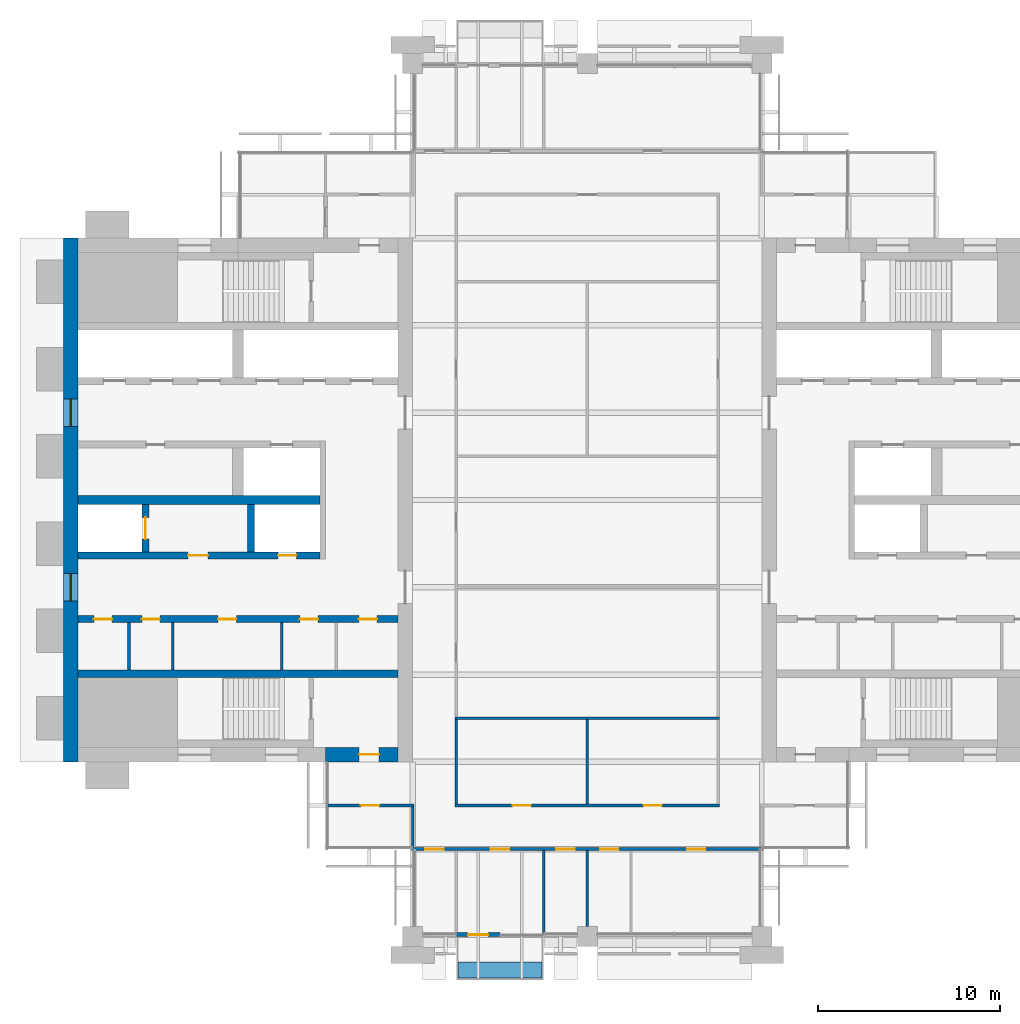
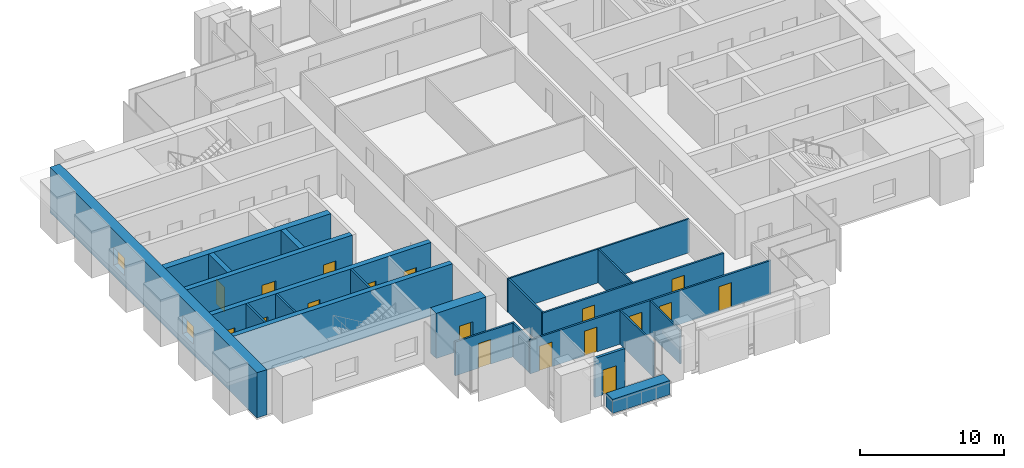
# One storey, part 8 of 14: 22 walls, 18 doors, 2 windows, 20 openings.
"""IFC4 building model written with IfcOpenShell, lengths in metres."""

from ifc_helpers import new_model, si_unit, direction, frame, frame_2d, origin, place, context, subcontext, project, spatial, rectangle, extrude, material, layer, layer_set, type_object, element, fill, save


model = new_model("IFC4")

# Units and contexts
model_context = context("Model", 3, precision=1e-05, world=origin(), true_north=direction((0.0, 1.0)))
body_context = subcontext(model_context, "Body", "Model", "MODEL_VIEW")
ifc_project = project(units=[si_unit("LENGTHUNIT", "METRE"), si_unit("AREAUNIT", "SQUARE_METRE"), si_unit("VOLUMEUNIT", "CUBIC_METRE"), si_unit("PLANEANGLEUNIT", "RADIAN"), si_unit("MASSUNIT", "GRAM", prefix="KILO")], contexts=[model_context])

# Site, building, storey
site_placement = place(None, origin())
site = spatial("IfcSite", under=ifc_project, at=site_placement, CompositionType="ELEMENT")
building_placement = place(site_placement, origin())
building = spatial("IfcBuilding", under=site, at=building_placement, Name="Baori Bourse Tower", CompositionType="ELEMENT")
storey_placement = place(building_placement, frame((0.0, 0.0, 257.199951171875)))
storey = spatial("IfcBuildingStorey", under=building, at=storey_placement, Name="L57", CompositionType="ELEMENT", Elevation=257.199951171875)

# Walls
ifc_material_1 = material(Name="Blockwork partition", Category="masonry")
ifc_layer_1 = layer(ifc_material_1, 0.14990234375)
ifc_layer_set_1 = layer_set([ifc_layer_1], Name="Core partition 150")
wall_type_1 = type_object("IfcWallType", Name="Core partition 150", PredefinedType="PARTITIONING", material=ifc_layer_set_1)
for number, where, z_axis, x_axis, name in (
    (1, (3.60009765625, 14.64990234375, 0.0), (0.0, 0.0, 1.0), (0.0, 1.0, 0.0), "Partition wall W09"),
    (2, (6.0, 14.64990234375, 0.0), (0.0, 0.0, 1.0), (0.0, 1.0, 0.0), "Partition wall W10"),
    (3, (12.0, 14.64990234375, 0.0), (0.0, 0.0, 1.0), (0.0, 1.0, 0.0), "Partition wall W11"),
):
    element("IfcWall", number, at=place(storey_placement, frame(where, z_axis=z_axis, x_axis=x_axis)), inside=storey, type_object=wall_type_1, Name=name, PredefinedType="PARTITIONING", context=body_context, shape_type="SweptSolid", body=[
        extrude(rectangle(XDim=2.60009765625, YDim=0.14990234375, at=frame_2d((1.300048828125, 0.0))), origin(), (0.0, 0.0, 1.0), 3.840087890625),
    ])

# Wall, openings, windows
ifc_material_2 = material(Name="Concrete f'c 50 MPa", Category="concrete")
ifc_layer_2 = layer(ifc_material_2, 0.800048828125)
ifc_layer_set_2 = layer_set([ifc_layer_2], Name="Core wall 800 f'c 50")
wall_type_2 = type_object("IfcWallType", Name="Core wall 800 f'c 50", PredefinedType="SHEAR", material=ifc_layer_set_2)
wall_1_placement = place(storey_placement, frame((0.39990234375, 9.60009765625, 0.0), z_axis=(0.0, 0.0, 1.0), x_axis=(0.0, 1.0, 0.0)))
wall_1 = element("IfcWall", 4, at=wall_1_placement, inside=storey, type_object=wall_type_2, Name="Core wall W01", PredefinedType="SHEAR", context=body_context, shape_type="SweptSolid", body=[
    extrude(rectangle(XDim=28.7998046875, YDim=0.800048828125, at=frame_2d((14.39990234375, 0.0))), origin(), (0.0, 0.0, 1.0), 3.840087890625),
])
opening_1_placement = place(wall_1_placement, frame((8.85009765625, 0.0, 0.89990234375)))
opening_1 = element("IfcOpeningElement", 5, at=opening_1_placement, cuts=wall_1, Name="Opening L57-KW101", PredefinedType="OPENING", context=body_context, shape_type="SweptSolid", body=[
    extrude(rectangle(XDim=1.5, YDim=1.5, at=frame_2d((0.75, 0.75))), frame((0.0, 0.409912109375, 0.0), z_axis=(0.0, -1.0, 0.0), x_axis=(1.0, 0.0, 0.0)), (0.0, 0.0, 1.0), 0.820068359375),
])
opening_2_placement = place(wall_1_placement, frame((18.449951171875, 0.0, 0.89990234375)))
opening_2 = element("IfcOpeningElement", 6, at=opening_2_placement, cuts=wall_1, Name="Opening L57-KW102", PredefinedType="OPENING", context=body_context, shape_type="SweptSolid", body=[
    extrude(rectangle(XDim=1.5, YDim=1.5, at=frame_2d((0.75, 0.75))), frame((0.0, 0.409912109375, 0.0), z_axis=(0.0, -1.0, 0.0), x_axis=(1.0, 0.0, 0.0)), (0.0, 0.0, 1.0), 0.820068359375),
])
ifc_material_3 = material(Name="Pale anodised aluminium", Category="aluminium")
window_type = type_object("IfcWindowType", Name="Lobby window 1500 x 1500", PartitioningType="SINGLE_PANEL", PredefinedType="WINDOW", material=ifc_material_3)
window_1_placement = place(opening_1_placement, origin())
window_1 = element("IfcWindow", 7, at=window_1_placement, inside=storey, type_object=window_type, Name="Outer wall window W L57 1", OverallHeight=1.5, OverallWidth=1.5, PartitioningType="SINGLE_PANEL", PredefinedType="WINDOW", context=body_context, shape_type="SweptSolid", body=[
    extrude(rectangle(XDim=1.5, YDim=1.5, at=frame_2d((0.75, 0.75))), frame((0.0, 0.030029296875, 0.0), z_axis=(0.0, -1.0, 0.0), x_axis=(1.0, 0.0, 0.0)), (0.0, 0.0, 1.0), 0.06005859375),
])
fill(opening_1, window_1)
window_2_placement = place(opening_2_placement, origin())
window_2 = element("IfcWindow", 8, at=window_2_placement, inside=storey, type_object=window_type, Name="Outer wall window W L57 2", OverallHeight=1.5, OverallWidth=1.5, PartitioningType="SINGLE_PANEL", PredefinedType="WINDOW", context=body_context, shape_type="SweptSolid", body=[
    extrude(rectangle(XDim=1.5, YDim=1.5, at=frame_2d((0.75, 0.75))), frame((0.0, 0.030029296875, 0.0), z_axis=(0.0, -1.0, 0.0), x_axis=(1.0, 0.0, 0.0)), (0.0, 0.0, 1.0), 0.06005859375),
])
fill(opening_2, window_2)

# Wall, opening, door
wall_2_placement = place(storey_placement, frame((18.39990234375, 10.0, 0.0), z_axis=(0.0, 0.0, 1.0), x_axis=(-1.0, 0.0, 0.0)))
wall_2 = element("IfcWall", 9, at=wall_2_placement, inside=storey, type_object=wall_type_2, Name="Core wall W03", PredefinedType="SHEAR", context=body_context, shape_type="SweptSolid", body=[
    extrude(rectangle(XDim=4.0, YDim=0.800048828125, at=frame_2d((2.0, 0.0))), origin(), (0.0, 0.0, 1.0), 3.840087890625),
])
opening_3_placement = place(wall_2_placement, frame((1.050048828125, 0.0, 0.0)))
opening_3 = element("IfcOpeningElement", 10, at=opening_3_placement, cuts=wall_2, Name="Opening L57-D102", PredefinedType="OPENING", context=body_context, shape_type="SweptSolid", body=[
    extrude(rectangle(XDim=1.10009765625, YDim=2.10009765625, at=frame_2d((0.550048828125, 1.050048828125))), frame((0.0, 0.409912109375, 0.0), z_axis=(0.0, -1.0, 0.0), x_axis=(1.0, 0.0, 0.0)), (0.0, 0.0, 1.0), 0.820068359375),
])
ifc_material_4 = material(Name="Painted steel door", Category="steel")
door_type_1 = type_object("IfcDoorType", Name="Stair door 1100", OperationType="SINGLE_SWING_LEFT", PredefinedType="DOOR", material=ifc_material_4)
door_1_placement = place(opening_3_placement, origin())
door_1 = element("IfcDoor", 11, at=door_1_placement, inside=storey, type_object=door_type_1, Name="Stair vestibule door A W L57", OperationType="SINGLE_SWING_LEFT", OverallHeight=2.10009765625, OverallWidth=1.10009765625, PredefinedType="DOOR", context=body_context, shape_type="SweptSolid", body=[
    extrude(rectangle(XDim=1.10009765625, YDim=2.10009765625, at=frame_2d((0.550048828125, 1.050048828125))), frame((0.0, 0.02490234375, 0.0), z_axis=(0.0, -1.0, 0.0), x_axis=(1.0, 0.0, 0.0)), (0.0, 0.0, 1.0), 0.050048828125),
])
fill(opening_3, door_1)

# Wall, openings, doors
ifc_material_5 = material(Name="Gypsum board partition")
ifc_layer_3 = layer(ifc_material_5, 0.14990234375)
ifc_layer_set_3 = layer_set([ifc_layer_3], Name="Corridor partition 150")
wall_type_3 = type_object("IfcWallType", Name="Corridor partition 150", PredefinedType="PARTITIONING", material=ifc_layer_set_3)
wall_3_placement = place(storey_placement, frame((19.125, 4.800048828125, 0.0), z_axis=(0.0, 0.0, 1.0), x_axis=(1.0, 0.0, 0.0)))
wall_3 = element("IfcWall", 12, at=wall_3_placement, inside=storey, type_object=wall_type_3, Name="Partition", PredefinedType="PARTITIONING", context=body_context, shape_type="SweptSolid", body=[
    extrude(rectangle(XDim=19.35009765625, YDim=0.14990234375, at=frame_2d((9.675048828125, 0.0))), origin(), (0.0, 0.0, 1.0), 2.869873046875),
])
opening_4_placement = place(wall_3_placement, frame((0.77490234375, 0.0, 0.0)))
opening_4 = element("IfcOpeningElement", 13, at=opening_4_placement, cuts=wall_3, Name="Opening L57-D01", PredefinedType="OPENING", context=body_context, shape_type="SweptSolid", body=[
    extrude(rectangle(XDim=1.0, YDim=2.10009765625, at=frame_2d((0.5, 1.050048828125))), frame((0.0, 0.0849609375, 0.0), z_axis=(0.0, -1.0, 0.0), x_axis=(1.0, 0.0, 0.0)), (0.0, 0.0, 1.0), 0.169921875),
])
opening_5_placement = place(wall_3_placement, frame((4.375, 0.0, 0.0)))
opening_5 = element("IfcOpeningElement", 14, at=opening_5_placement, cuts=wall_3, Name="Opening L57-D02", PredefinedType="OPENING", context=body_context, shape_type="SweptSolid", body=[
    extrude(rectangle(XDim=1.0, YDim=2.10009765625, at=frame_2d((0.5, 1.050048828125))), frame((0.0, 0.0849609375, 0.0), z_axis=(0.0, -1.0, 0.0), x_axis=(1.0, 0.0, 0.0)), (0.0, 0.0, 1.0), 0.169921875),
])
opening_6_placement = place(wall_3_placement, frame((7.97509765625, 0.0, 0.0)))
opening_6 = element("IfcOpeningElement", 15, at=opening_6_placement, cuts=wall_3, Name="Opening L57-D03", PredefinedType="OPENING", context=body_context, shape_type="SweptSolid", body=[
    extrude(rectangle(XDim=1.0, YDim=2.10009765625, at=frame_2d((0.5, 1.050048828125))), frame((0.0, 0.0849609375, 0.0), z_axis=(0.0, -1.0, 0.0), x_axis=(1.0, 0.0, 0.0)), (0.0, 0.0, 1.0), 0.169921875),
])
opening_7_placement = place(wall_3_placement, frame((10.375, 0.0, 0.0)))
opening_7 = element("IfcOpeningElement", 16, at=opening_7_placement, cuts=wall_3, Name="Opening L57-D04", PredefinedType="OPENING", context=body_context, shape_type="SweptSolid", body=[
    extrude(rectangle(XDim=1.0, YDim=2.10009765625, at=frame_2d((0.5, 1.050048828125))), frame((0.0, 0.0849609375, 0.0), z_axis=(0.0, -1.0, 0.0), x_axis=(1.0, 0.0, 0.0)), (0.0, 0.0, 1.0), 0.169921875),
])
opening_8_placement = place(wall_3_placement, frame((15.175048828125, 0.0, 0.0)))
opening_8 = element("IfcOpeningElement", 17, at=opening_8_placement, cuts=wall_3, Name="Opening L57-D05", PredefinedType="OPENING", context=body_context, shape_type="SweptSolid", body=[
    extrude(rectangle(XDim=1.0, YDim=2.10009765625, at=frame_2d((0.5, 1.050048828125))), frame((0.0, 0.0849609375, 0.0), z_axis=(0.0, -1.0, 0.0), x_axis=(1.0, 0.0, 0.0)), (0.0, 0.0, 1.0), 0.169921875),
])
ifc_material_6 = material(Name="Timber door leaf", Category="wood")
door_type_2 = type_object("IfcDoorType", Name="Door 1000 x 2100", OperationType="SINGLE_SWING_LEFT", PredefinedType="DOOR", material=ifc_material_6)
door_2_placement = place(opening_4_placement, origin())
door_2 = element("IfcDoor", 18, at=door_2_placement, inside=storey, type_object=door_type_2, Name="Door", OperationType="SINGLE_SWING_LEFT", OverallHeight=2.10009765625, OverallWidth=1.0, PredefinedType="DOOR", context=body_context, shape_type="SweptSolid", body=[
    extrude(rectangle(XDim=1.0, YDim=2.10009765625, at=frame_2d((0.5, 1.050048828125))), frame((0.0, 0.02490234375, 0.0), z_axis=(0.0, -1.0, 0.0), x_axis=(1.0, 0.0, 0.0)), (0.0, 0.0, 1.0), 0.050048828125),
])
fill(opening_4, door_2)
door_3_placement = place(opening_5_placement, origin())
door_3 = element("IfcDoor", 19, at=door_3_placement, inside=storey, type_object=door_type_2, Name="Door", OperationType="SINGLE_SWING_LEFT", OverallHeight=2.10009765625, OverallWidth=1.0, PredefinedType="DOOR", context=body_context, shape_type="SweptSolid", body=[
    extrude(rectangle(XDim=1.0, YDim=2.10009765625, at=frame_2d((0.5, 1.050048828125))), frame((0.0, 0.02490234375, 0.0), z_axis=(0.0, -1.0, 0.0), x_axis=(1.0, 0.0, 0.0)), (0.0, 0.0, 1.0), 0.050048828125),
])
fill(opening_5, door_3)
door_4_placement = place(opening_6_placement, origin())
door_4 = element("IfcDoor", 20, at=door_4_placement, inside=storey, type_object=door_type_2, Name="Door", OperationType="SINGLE_SWING_LEFT", OverallHeight=2.10009765625, OverallWidth=1.0, PredefinedType="DOOR", context=body_context, shape_type="SweptSolid", body=[
    extrude(rectangle(XDim=1.0, YDim=2.10009765625, at=frame_2d((0.5, 1.050048828125))), frame((0.0, 0.02490234375, 0.0), z_axis=(0.0, -1.0, 0.0), x_axis=(1.0, 0.0, 0.0)), (0.0, 0.0, 1.0), 0.050048828125),
])
fill(opening_6, door_4)
door_5_placement = place(opening_7_placement, origin())
door_5 = element("IfcDoor", 21, at=door_5_placement, inside=storey, type_object=door_type_2, Name="Door", OperationType="SINGLE_SWING_RIGHT", OverallHeight=2.10009765625, OverallWidth=1.0, PredefinedType="DOOR", context=body_context, shape_type="SweptSolid", body=[
    extrude(rectangle(XDim=1.0, YDim=2.10009765625, at=frame_2d((0.5, 1.050048828125))), frame((0.0, 0.02490234375, 0.0), z_axis=(0.0, -1.0, 0.0), x_axis=(1.0, 0.0, 0.0)), (0.0, 0.0, 1.0), 0.050048828125),
])
fill(opening_7, door_5)
door_6_placement = place(opening_8_placement, origin())
door_6 = element("IfcDoor", 22, at=door_6_placement, inside=storey, type_object=door_type_2, Name="Door", OperationType="SINGLE_SWING_RIGHT", OverallHeight=2.10009765625, OverallWidth=1.0, PredefinedType="DOOR", context=body_context, shape_type="SweptSolid", body=[
    extrude(rectangle(XDim=1.0, YDim=2.10009765625, at=frame_2d((0.5, 1.050048828125))), frame((0.0, 0.02490234375, 0.0), z_axis=(0.0, -1.0, 0.0), x_axis=(1.0, 0.0, 0.0)), (0.0, 0.0, 1.0), 0.050048828125),
])
fill(opening_8, door_6)

# Wall, opening, door
wall_4_placement = place(storey_placement, frame((14.5, 7.199951171875, 0.0), z_axis=(0.0, 0.0, 1.0), x_axis=(1.0, 0.0, 0.0)))
wall_4 = element("IfcWall", 23, at=wall_4_placement, inside=storey, type_object=wall_type_3, Name="Partition", PredefinedType="PARTITIONING", context=body_context, shape_type="SweptSolid", body=[
    extrude(rectangle(XDim=4.77490234375, YDim=0.14990234375, at=frame_2d((2.387451171875, 0.0))), origin(), (0.0, 0.0, 1.0), 2.869873046875),
])
opening_9_placement = place(wall_4_placement, frame((1.85009765625, 0.0, 0.0)))
opening_9 = element("IfcOpeningElement", 24, at=opening_9_placement, cuts=wall_4, Name="Opening L57-D06", PredefinedType="OPENING", context=body_context, shape_type="SweptSolid", body=[
    extrude(rectangle(XDim=1.0, YDim=2.10009765625, at=frame_2d((0.5, 1.050048828125))), frame((0.0, 0.0849609375, 0.0), z_axis=(0.0, -1.0, 0.0), x_axis=(1.0, 0.0, 0.0)), (0.0, 0.0, 1.0), 0.169921875),
])
door_7_placement = place(opening_9_placement, origin())
door_7 = element("IfcDoor", 25, at=door_7_placement, inside=storey, type_object=door_type_2, Name="Door", OperationType="SINGLE_SWING_LEFT", OverallHeight=2.10009765625, OverallWidth=1.0, PredefinedType="DOOR", context=body_context, shape_type="SweptSolid", body=[
    extrude(rectangle(XDim=1.0, YDim=2.10009765625, at=frame_2d((0.5, 1.050048828125))), frame((0.0, 0.02490234375, 0.0), z_axis=(0.0, -1.0, 0.0), x_axis=(1.0, 0.0, 0.0)), (0.0, 0.0, 1.0), 0.050048828125),
])
fill(opening_9, door_7)

# Wall, openings, doors
wall_5_placement = place(storey_placement, frame((21.52490234375, 7.199951171875, 0.0), z_axis=(0.0, 0.0, 1.0), x_axis=(1.0, 0.0, 0.0)))
wall_5 = element("IfcWall", 26, at=wall_5_placement, inside=storey, type_object=wall_type_3, Name="Partition", PredefinedType="PARTITIONING", context=body_context, shape_type="SweptSolid", body=[
    extrude(rectangle(XDim=14.550048828125, YDim=0.14990234375, at=frame_2d((7.27490234375, 0.0))), origin(), (0.0, 0.0, 1.0), 2.869873046875),
])
opening_10_placement = place(wall_5_placement, frame((3.175048828125, 0.0, 0.0)))
opening_10 = element("IfcOpeningElement", 27, at=opening_10_placement, cuts=wall_5, Name="Opening L57-D07", PredefinedType="OPENING", context=body_context, shape_type="SweptSolid", body=[
    extrude(rectangle(XDim=1.0, YDim=2.10009765625, at=frame_2d((0.5, 1.050048828125))), frame((0.0, 0.0849609375, 0.0), z_axis=(0.0, -1.0, 0.0), x_axis=(1.0, 0.0, 0.0)), (0.0, 0.0, 1.0), 0.169921875),
])
opening_11_placement = place(wall_5_placement, frame((10.375, 0.0, 0.0)))
opening_11 = element("IfcOpeningElement", 28, at=opening_11_placement, cuts=wall_5, Name="Opening L57-D08", PredefinedType="OPENING", context=body_context, shape_type="SweptSolid", body=[
    extrude(rectangle(XDim=1.0, YDim=2.10009765625, at=frame_2d((0.5, 1.050048828125))), frame((0.0, 0.0849609375, 0.0), z_axis=(0.0, -1.0, 0.0), x_axis=(1.0, 0.0, 0.0)), (0.0, 0.0, 1.0), 0.169921875),
])
door_8_placement = place(opening_10_placement, origin())
door_8 = element("IfcDoor", 29, at=door_8_placement, inside=storey, type_object=door_type_2, Name="Door", OperationType="SINGLE_SWING_RIGHT", OverallHeight=2.10009765625, OverallWidth=1.0, PredefinedType="DOOR", context=body_context, shape_type="SweptSolid", body=[
    extrude(rectangle(XDim=1.0, YDim=2.10009765625, at=frame_2d((0.5, 1.050048828125))), frame((0.0, 0.02490234375, 0.0), z_axis=(0.0, -1.0, 0.0), x_axis=(1.0, 0.0, 0.0)), (0.0, 0.0, 1.0), 0.050048828125),
])
fill(opening_10, door_8)
door_9_placement = place(opening_11_placement, origin())
door_9 = element("IfcDoor", 30, at=door_9_placement, inside=storey, type_object=door_type_2, Name="Door", OperationType="SINGLE_SWING_LEFT", OverallHeight=2.10009765625, OverallWidth=1.0, PredefinedType="DOOR", context=body_context, shape_type="SweptSolid", body=[
    extrude(rectangle(XDim=1.0, YDim=2.10009765625, at=frame_2d((0.5, 1.050048828125))), frame((0.0, 0.02490234375, 0.0), z_axis=(0.0, -1.0, 0.0), x_axis=(1.0, 0.0, 0.0)), (0.0, 0.0, 1.0), 0.050048828125),
])
fill(opening_11, door_9)

# Walls
wall_6_placement = place(storey_placement, frame((19.199951171875, 4.875, 0.0), z_axis=(0.0, 0.0, 1.0), x_axis=(0.0, 1.0, 0.0)))
element("IfcWall", 31, at=wall_6_placement, inside=storey, type_object=wall_type_3, Name="Partition", PredefinedType="PARTITIONING", context=body_context, shape_type="SweptSolid", body=[
    extrude(rectangle(XDim=2.25, YDim=0.14990234375, at=frame_2d((1.125, 0.0))), origin(), (0.0, 0.0, 1.0), 2.869873046875),
])
wall_7_placement = place(storey_placement, frame((21.60009765625, 7.27490234375, 0.0), z_axis=(0.0, 0.0, 1.0), x_axis=(0.0, 1.0, 0.0)))
element("IfcWall", 32, at=wall_7_placement, inside=storey, type_object=wall_type_3, Name="Partition", PredefinedType="PARTITIONING", context=body_context, shape_type="SweptSolid", body=[
    extrude(rectangle(XDim=4.66259765625, YDim=0.14990234375, at=frame_2d((2.331298828125, 0.0))), origin(), (0.0, 0.0, 1.0), 2.869873046875),
])

# Wall, opening, door
ifc_material_7 = material(Name="Pale anodised aluminium", Category="aluminium")
ifc_layer_4 = layer(ifc_material_7, 0.199951171875)
ifc_layer_set_4 = layer_set([ifc_layer_4], Name="EW1 External wall bay")
wall_type_4 = type_object("IfcWallType", Name="EW1 External wall bay", PredefinedType="SOLIDWALL", material=ifc_layer_set_4)
wall_8_placement = place(storey_placement, frame((21.60009765625, 0.10009765625, 0.0), z_axis=(0.0, 0.0, 1.0), x_axis=(1.0, 0.0, 0.0)))
wall_8 = element("IfcWall", 33, at=wall_8_placement, inside=storey, type_object=wall_type_4, Name="External wall bay L57 3", PredefinedType="SOLIDWALL", context=body_context, shape_type="SweptSolid", body=[
    extrude(rectangle(XDim=2.39990234375, YDim=0.199951171875, at=frame_2d((1.199951171875, 0.0))), origin(), (0.0, 0.0, 1.0), 3.314208984375),
])
opening_12_placement = place(wall_8_placement, frame((0.64990234375, 0.0, 0.0)))
opening_12 = element("IfcOpeningElement", 34, at=opening_12_placement, cuts=wall_8, Name="Opening L57-D93", PredefinedType="OPENING", context=body_context, shape_type="SweptSolid", body=[
    extrude(rectangle(XDim=1.10009765625, YDim=2.10009765625, at=frame_2d((0.550048828125, 1.050048828125))), frame((0.0, 0.10986328125, 0.0), z_axis=(0.0, -1.0, 0.0), x_axis=(1.0, 0.0, 0.0)), (0.0, 0.0, 1.0), 0.219970703125),
])
ifc_material_8 = material(Name="Pale anodised aluminium", Category="aluminium")
door_type_3 = type_object("IfcDoorType", Name="BL1 Balcony door", OperationType="SINGLE_SWING_LEFT", PredefinedType="DOOR", material=ifc_material_8)
door_10_placement = place(opening_12_placement, origin())
door_10 = element("IfcDoor", 35, at=door_10_placement, inside=storey, type_object=door_type_3, Name="Balcony door L57 3", OperationType="SINGLE_SWING_LEFT", OverallHeight=2.10009765625, OverallWidth=1.10009765625, PredefinedType="DOOR", context=body_context, shape_type="SweptSolid", body=[
    extrude(rectangle(XDim=1.10009765625, YDim=2.10009765625, at=frame_2d((0.550048828125, 1.050048828125))), frame((0.0, 0.02490234375, 0.0), z_axis=(0.0, -1.0, 0.0), x_axis=(1.0, 0.0, 0.0)), (0.0, 0.0, 1.0), 0.050048828125),
])
fill(opening_12, door_10)

# Walls
ifc_material_9 = material(Name="Concrete f'c 40 MPa", Category="concrete")
ifc_layer_5 = layer(ifc_material_9, 0.89990234375)
ifc_layer_set_5 = layer_set([ifc_layer_5], Name="PW1 Planter wall")
wall_type_5 = type_object("IfcWallType", Name="PW1 Planter wall", PredefinedType="USERDEFINED", material=ifc_layer_set_5)
wall_9_placement = place(storey_placement, frame((21.699951171875, -1.85009765625, 0.0), z_axis=(0.0, 0.0, 1.0), x_axis=(1.0, 0.0, 0.0)))
element("IfcWall", 36, at=wall_9_placement, inside=storey, type_object=wall_type_5, Name="Planter balcony S L57 1", ObjectType="PLANTER", PredefinedType="USERDEFINED", context=body_context, shape_type="SweptSolid", body=[
    extrude(rectangle(XDim=4.60009765625, YDim=0.89990234375, at=frame_2d((2.300048828125, 0.0))), origin(), (0.0, 0.0, 1.0), 1.199951171875),
])
ifc_material_10 = material(Name="Gypsum board partition")
ifc_layer_6 = layer(ifc_material_10, 0.125)
ifc_layer_set_6 = layer_set([ifc_layer_6], Name="Partition 125")
wall_type_6 = type_object("IfcWallType", Name="Partition 125", PredefinedType="PARTITIONING", material=ifc_layer_set_6)
wall_10_placement = place(storey_placement, frame((21.52490234375, 12.0, 0.0), z_axis=(0.0, 0.0, 1.0), x_axis=(1.0, 0.0, 0.0)))
element("IfcWall", 37, at=wall_10_placement, inside=storey, type_object=wall_type_6, Name="Partition", PredefinedType="PARTITIONING", context=body_context, shape_type="SweptSolid", body=[
    extrude(rectangle(XDim=14.550048828125, YDim=0.125, at=frame_2d((7.27490234375, 0.0))), origin(), (0.0, 0.0, 1.0), 2.869873046875),
])
wall_11_placement = place(storey_placement, frame((26.39990234375, 0.10009765625, 0.0), z_axis=(0.0, 0.0, 1.0), x_axis=(0.0, 1.0, 0.0)))
element("IfcWall", 38, at=wall_11_placement, inside=storey, type_object=wall_type_6, Name="Partition", PredefinedType="PARTITIONING", context=body_context, shape_type="SweptSolid", body=[
    extrude(rectangle(XDim=4.625, YDim=0.125, at=frame_2d((2.3125, 0.0))), origin(), (0.0, 0.0, 1.0), 2.869873046875),
])
wall_12_placement = place(storey_placement, frame((28.800048828125, 0.550048828125, 0.0), z_axis=(0.0, 0.0, 1.0), x_axis=(0.0, 1.0, 0.0)))
element("IfcWall", 39, at=wall_12_placement, inside=storey, type_object=wall_type_6, Name="Partition", PredefinedType="PARTITIONING", context=body_context, shape_type="SweptSolid", body=[
    extrude(rectangle(XDim=4.175048828125, YDim=0.125, at=frame_2d((2.08740234375, 0.0))), origin(), (0.0, 0.0, 1.0), 2.869873046875),
])
wall_13_placement = place(storey_placement, frame((28.800048828125, 7.27490234375, 0.0), z_axis=(0.0, 0.0, 1.0), x_axis=(0.0, 1.0, 0.0)))
element("IfcWall", 40, at=wall_13_placement, inside=storey, type_object=wall_type_6, Name="Partition", PredefinedType="PARTITIONING", context=body_context, shape_type="SweptSolid", body=[
    extrude(rectangle(XDim=4.66259765625, YDim=0.125, at=frame_2d((2.331298828125, 0.0))), origin(), (0.0, 0.0, 1.0), 2.869873046875),
])
ifc_material_11 = material(Name="Concrete f'c 50 MPa", Category="concrete")
ifc_layer_7 = layer(ifc_material_11, 0.39990234375)
ifc_layer_set_7 = layer_set([ifc_layer_7], Name="Shaft wall 400 f'c 50")
wall_type_7 = type_object("IfcWallType", Name="Shaft wall 400 f'c 50", PredefinedType="SHEAR", material=ifc_layer_set_7)
wall_14_placement = place(storey_placement, frame((0.800048828125, 14.449951171875, 0.0), z_axis=(0.0, 0.0, 1.0), x_axis=(1.0, 0.0, 0.0)))
element("IfcWall", 41, at=wall_14_placement, inside=storey, type_object=wall_type_7, Name="Core wall W08", PredefinedType="SHEAR", context=body_context, shape_type="SweptSolid", body=[
    extrude(rectangle(XDim=17.599853515625, YDim=0.39990234375, at=frame_2d((8.7998046875, 0.0))), origin(), (0.0, 0.0, 1.0), 3.840087890625),
])

# Wall, openings, doors
wall_15_placement = place(storey_placement, frame((0.800048828125, 17.449951171875, 0.0), z_axis=(0.0, 0.0, 1.0), x_axis=(1.0, 0.0, 0.0)))
wall_15 = element("IfcWall", 42, at=wall_15_placement, inside=storey, type_object=wall_type_7, Name="Core wall W13", PredefinedType="SHEAR", context=body_context, shape_type="SweptSolid", body=[
    extrude(rectangle(XDim=17.599853515625, YDim=0.39990234375, at=frame_2d((8.7998046875, 0.0))), origin(), (0.0, 0.0, 1.0), 3.840087890625),
])
opening_13_placement = place(wall_15_placement, frame((0.862548828125, 0.0, 0.0)))
opening_13 = element("IfcOpeningElement", 43, at=opening_13_placement, cuts=wall_15, Name="Opening L57-D109", PredefinedType="OPENING", context=body_context, shape_type="SweptSolid", body=[
    extrude(rectangle(XDim=1.0, YDim=2.10009765625, at=frame_2d((0.5, 1.050048828125))), frame((0.0, 0.2099609375, 0.0), z_axis=(0.0, -1.0, 0.0), x_axis=(1.0, 0.0, 0.0)), (0.0, 0.0, 1.0), 0.419921875),
])
opening_14_placement = place(wall_15_placement, frame((3.5, 0.0, 0.0)))
opening_14 = element("IfcOpeningElement", 44, at=opening_14_placement, cuts=wall_15, Name="Opening L57-D110", PredefinedType="OPENING", context=body_context, shape_type="SweptSolid", body=[
    extrude(rectangle(XDim=1.0, YDim=2.10009765625, at=frame_2d((0.5, 1.050048828125))), frame((0.0, 0.2099609375, 0.0), z_axis=(0.0, -1.0, 0.0), x_axis=(1.0, 0.0, 0.0)), (0.0, 0.0, 1.0), 0.419921875),
])
opening_15_placement = place(wall_15_placement, frame((7.699951171875, 0.0, 0.0)))
opening_15 = element("IfcOpeningElement", 45, at=opening_15_placement, cuts=wall_15, Name="Opening L57-D111", PredefinedType="OPENING", context=body_context, shape_type="SweptSolid", body=[
    extrude(rectangle(XDim=1.0, YDim=2.10009765625, at=frame_2d((0.5, 1.050048828125))), frame((0.0, 0.2099609375, 0.0), z_axis=(0.0, -1.0, 0.0), x_axis=(1.0, 0.0, 0.0)), (0.0, 0.0, 1.0), 0.419921875),
])
opening_16_placement = place(wall_15_placement, frame((12.199951171875, 0.0, 0.0)))
opening_16 = element("IfcOpeningElement", 46, at=opening_16_placement, cuts=wall_15, Name="Opening L57-D112", PredefinedType="OPENING", context=body_context, shape_type="SweptSolid", body=[
    extrude(rectangle(XDim=1.0, YDim=2.10009765625, at=frame_2d((0.5, 1.050048828125))), frame((0.0, 0.2099609375, 0.0), z_axis=(0.0, -1.0, 0.0), x_axis=(1.0, 0.0, 0.0)), (0.0, 0.0, 1.0), 0.419921875),
])
opening_17_placement = place(wall_15_placement, frame((15.4375, 0.0, 0.0)))
opening_17 = element("IfcOpeningElement", 47, at=opening_17_placement, cuts=wall_15, Name="Opening L57-D113", PredefinedType="OPENING", context=body_context, shape_type="SweptSolid", body=[
    extrude(rectangle(XDim=1.0, YDim=2.10009765625, at=frame_2d((0.5, 1.050048828125))), frame((0.0, 0.2099609375, 0.0), z_axis=(0.0, -1.0, 0.0), x_axis=(1.0, 0.0, 0.0)), (0.0, 0.0, 1.0), 0.419921875),
])
ifc_material_12 = material(Name="Painted steel door", Category="steel")
door_type_4 = type_object("IfcDoorType", Name="Core door 1000", OperationType="SINGLE_SWING_LEFT", PredefinedType="DOOR", material=ifc_material_12)
door_11_placement = place(opening_13_placement, origin())
door_11 = element("IfcDoor", 48, at=door_11_placement, inside=storey, type_object=door_type_4, Name="Pantry door W L57", OperationType="SINGLE_SWING_LEFT", OverallHeight=2.10009765625, OverallWidth=1.0, PredefinedType="DOOR", context=body_context, shape_type="SweptSolid", body=[
    extrude(rectangle(XDim=1.0, YDim=2.10009765625, at=frame_2d((0.5, 1.050048828125))), frame((0.0, 0.02490234375, 0.0), z_axis=(0.0, -1.0, 0.0), x_axis=(1.0, 0.0, 0.0)), (0.0, 0.0, 1.0), 0.050048828125),
])
fill(opening_13, door_11)
door_12_placement = place(opening_15_placement, origin())
door_12 = element("IfcDoor", 49, at=door_12_placement, inside=storey, type_object=door_type_4, Name="Men'S Wc door W L57", OperationType="SINGLE_SWING_LEFT", OverallHeight=2.10009765625, OverallWidth=1.0, PredefinedType="DOOR", context=body_context, shape_type="SweptSolid", body=[
    extrude(rectangle(XDim=1.0, YDim=2.10009765625, at=frame_2d((0.5, 1.050048828125))), frame((0.0, 0.02490234375, 0.0), z_axis=(0.0, -1.0, 0.0), x_axis=(1.0, 0.0, 0.0)), (0.0, 0.0, 1.0), 0.050048828125),
])
fill(opening_15, door_12)
door_13_placement = place(opening_16_placement, origin())
door_13 = element("IfcDoor", 50, at=door_13_placement, inside=storey, type_object=door_type_4, Name="Women'S Wc door W L57", OperationType="SINGLE_SWING_LEFT", OverallHeight=2.10009765625, OverallWidth=1.0, PredefinedType="DOOR", context=body_context, shape_type="SweptSolid", body=[
    extrude(rectangle(XDim=1.0, YDim=2.10009765625, at=frame_2d((0.5, 1.050048828125))), frame((0.0, 0.02490234375, 0.0), z_axis=(0.0, -1.0, 0.0), x_axis=(1.0, 0.0, 0.0)), (0.0, 0.0, 1.0), 0.050048828125),
])
fill(opening_16, door_13)
door_14_placement = place(opening_17_placement, origin())
door_14 = element("IfcDoor", 51, at=door_14_placement, inside=storey, type_object=door_type_4, Name="Accessible Wc door W L57", OperationType="SINGLE_SWING_LEFT", OverallHeight=2.10009765625, OverallWidth=1.0, PredefinedType="DOOR", context=body_context, shape_type="SweptSolid", body=[
    extrude(rectangle(XDim=1.0, YDim=2.10009765625, at=frame_2d((0.5, 1.050048828125))), frame((0.0, 0.02490234375, 0.0), z_axis=(0.0, -1.0, 0.0), x_axis=(1.0, 0.0, 0.0)), (0.0, 0.0, 1.0), 0.050048828125),
])
fill(opening_17, door_14)
ifc_material_13 = material(Name="Painted steel door", Category="steel")
door_type_5 = type_object("IfcDoorType", Name="Plant room door 1000", OperationType="SINGLE_SWING_LEFT", PredefinedType="DOOR", material=ifc_material_13)
door_15_placement = place(opening_14_placement, origin())
door_15 = element("IfcDoor", 52, at=door_15_placement, inside=storey, type_object=door_type_5, Name="Electrical Room door W L57", OperationType="SINGLE_SWING_LEFT", OverallHeight=2.10009765625, OverallWidth=1.0, PredefinedType="DOOR", context=body_context, shape_type="SweptSolid", body=[
    extrude(rectangle(XDim=1.0, YDim=2.10009765625, at=frame_2d((0.5, 1.050048828125))), frame((0.0, 0.02490234375, 0.0), z_axis=(0.0, -1.0, 0.0), x_axis=(1.0, 0.0, 0.0)), (0.0, 0.0, 1.0), 0.050048828125),
])
fill(opening_14, door_15)

wall_16_placement = place(storey_placement, frame((0.800048828125, 20.949951171875, 0.0), z_axis=(0.0, 0.0, 1.0), x_axis=(1.0, 0.0, 0.0)))
wall_16 = element("IfcWall", 53, at=wall_16_placement, inside=storey, type_object=wall_type_7, Name="Core wall W14", PredefinedType="SHEAR", context=body_context, shape_type="SweptSolid", body=[
    extrude(rectangle(XDim=13.300048828125, YDim=0.39990234375, at=frame_2d((6.64990234375, 0.0))), origin(), (0.0, 0.0, 1.0), 3.840087890625),
])
opening_18_placement = place(wall_16_placement, frame((6.050048828125, 0.0, 0.0)))
opening_18 = element("IfcOpeningElement", 54, at=opening_18_placement, cuts=wall_16, Name="Opening L57-D105", PredefinedType="OPENING", context=body_context, shape_type="SweptSolid", body=[
    extrude(rectangle(XDim=1.10009765625, YDim=2.10009765625, at=frame_2d((0.550048828125, 1.050048828125))), frame((0.0, 0.2099609375, 0.0), z_axis=(0.0, -1.0, 0.0), x_axis=(1.0, 0.0, 0.0)), (0.0, 0.0, 1.0), 0.419921875),
])
opening_19_placement = place(wall_16_placement, frame((11.0, 0.0, 0.0)))
opening_19 = element("IfcOpeningElement", 55, at=opening_19_placement, cuts=wall_16, Name="Opening L57-D106", PredefinedType="OPENING", context=body_context, shape_type="SweptSolid", body=[
    extrude(rectangle(XDim=1.0, YDim=2.10009765625, at=frame_2d((0.5, 1.050048828125))), frame((0.0, 0.2099609375, 0.0), z_axis=(0.0, -1.0, 0.0), x_axis=(1.0, 0.0, 0.0)), (0.0, 0.0, 1.0), 0.419921875),
])
ifc_material_14 = material(Name="Painted steel door", Category="steel")
door_type_6 = type_object("IfcDoorType", Name="Lobby door 1100", OperationType="SINGLE_SWING_LEFT", PredefinedType="DOOR", material=ifc_material_14)
door_16_placement = place(opening_18_placement, origin())
door_16 = element("IfcDoor", 56, at=door_16_placement, inside=storey, type_object=door_type_6, Name="Firefighting lobby door W L57", OperationType="SINGLE_SWING_LEFT", OverallHeight=2.10009765625, OverallWidth=1.10009765625, PredefinedType="DOOR", context=body_context, shape_type="SweptSolid", body=[
    extrude(rectangle(XDim=1.10009765625, YDim=2.10009765625, at=frame_2d((0.550048828125, 1.050048828125))), frame((0.0, 0.02490234375, 0.0), z_axis=(0.0, -1.0, 0.0), x_axis=(1.0, 0.0, 0.0)), (0.0, 0.0, 1.0), 0.050048828125),
])
fill(opening_18, door_16)
ifc_material_15 = material(Name="Painted steel door", Category="steel")
door_type_7 = type_object("IfcDoorType", Name="Shaft door 1000", OperationType="SINGLE_SWING_LEFT", PredefinedType="DOOR", material=ifc_material_15)
door_17_placement = place(opening_19_placement, origin())
door_17 = element("IfcDoor", 57, at=door_17_placement, inside=storey, type_object=door_type_7, Name="Riser room door W L57", OperationType="SINGLE_SWING_LEFT", OverallHeight=2.10009765625, OverallWidth=1.0, PredefinedType="DOOR", context=body_context, shape_type="SweptSolid", body=[
    extrude(rectangle(XDim=1.0, YDim=2.10009765625, at=frame_2d((0.5, 1.050048828125))), frame((0.0, 0.02490234375, 0.0), z_axis=(0.0, -1.0, 0.0), x_axis=(1.0, 0.0, 0.0)), (0.0, 0.0, 1.0), 0.050048828125),
])
fill(opening_19, door_17)

# Wall, opening, door
wall_17_placement = place(storey_placement, frame((4.5, 21.14990234375, 0.0), z_axis=(0.0, 0.0, 1.0), x_axis=(0.0, 1.0, 0.0)))
wall_17 = element("IfcWall", 58, at=wall_17_placement, inside=storey, type_object=wall_type_7, Name="Core wall W16", PredefinedType="SHEAR", context=body_context, shape_type="SweptSolid", body=[
    extrude(rectangle(XDim=2.60009765625, YDim=0.39990234375, at=frame_2d((1.300048828125, 0.0))), origin(), (0.0, 0.0, 1.0), 3.840087890625),
])
opening_20_placement = place(wall_17_placement, frame((0.699951171875, 0.0, 0.0)))
opening_20 = element("IfcOpeningElement", 59, at=opening_20_placement, cuts=wall_17, Name="Opening L57-D122", PredefinedType="OPENING", context=body_context, shape_type="SweptSolid", body=[
    extrude(rectangle(XDim=1.199951171875, YDim=2.10009765625, at=frame_2d((0.60009765625, 1.050048828125))), frame((0.0, 0.2099609375, 0.0), z_axis=(0.0, -1.0, 0.0), x_axis=(1.0, 0.0, 0.0)), (0.0, 0.0, 1.0), 0.419921875),
])
ifc_material_16 = material(Name="Stainless steel door", Category="steel")
door_type_8 = type_object("IfcDoorType", Name="Lift landing door", OperationType="DOUBLE_DOOR_SLIDING", PredefinedType="DOOR", material=ifc_material_16)
door_18_placement = place(opening_20_placement, origin())
door_18 = element("IfcDoor", 60, at=door_18_placement, inside=storey, type_object=door_type_8, Name="Lift landing door FF1 W L57", OperationType="DOUBLE_DOOR_SLIDING", OverallHeight=2.10009765625, OverallWidth=1.199951171875, PredefinedType="DOOR", context=body_context, shape_type="SweptSolid", body=[
    extrude(rectangle(XDim=1.199951171875, YDim=2.10009765625, at=frame_2d((0.60009765625, 1.050048828125))), frame((0.0, 0.02490234375, 0.0), z_axis=(0.0, -1.0, 0.0), x_axis=(1.0, 0.0, 0.0)), (0.0, 0.0, 1.0), 0.050048828125),
])
fill(opening_20, door_18)

# Walls
wall_18_placement = place(storey_placement, frame((10.300048828125, 21.14990234375, 0.0), z_axis=(0.0, 0.0, 1.0), x_axis=(0.0, 1.0, 0.0)))
element("IfcWall", 61, at=wall_18_placement, inside=storey, type_object=wall_type_7, Name="Core wall W17", PredefinedType="SHEAR", context=body_context, shape_type="SweptSolid", body=[
    extrude(rectangle(XDim=2.60009765625, YDim=0.39990234375, at=frame_2d((1.300048828125, 0.0))), origin(), (0.0, 0.0, 1.0), 3.840087890625),
])
ifc_material_17 = material(Name="Concrete f'c 50 MPa", Category="concrete")
ifc_layer_8 = layer(ifc_material_17, 0.5)
ifc_layer_set_8 = layer_set([ifc_layer_8], Name="Shaft wall 500 f'c 50")
wall_type_8 = type_object("IfcWallType", Name="Shaft wall 500 f'c 50", PredefinedType="SHEAR", material=ifc_layer_set_8)
wall_19_placement = place(storey_placement, frame((0.800048828125, 24.0, 0.0), z_axis=(0.0, 0.0, 1.0), x_axis=(1.0, 0.0, 0.0)))
element("IfcWall", 62, at=wall_19_placement, inside=storey, type_object=wall_type_8, Name="Core wall W18", PredefinedType="SHEAR", context=body_context, shape_type="SweptSolid", body=[
    extrude(rectangle(XDim=13.300048828125, YDim=0.5, at=frame_2d((6.64990234375, 0.0))), origin(), (0.0, 0.0, 1.0), 3.840087890625),
])

save(model, "model.ifc")
